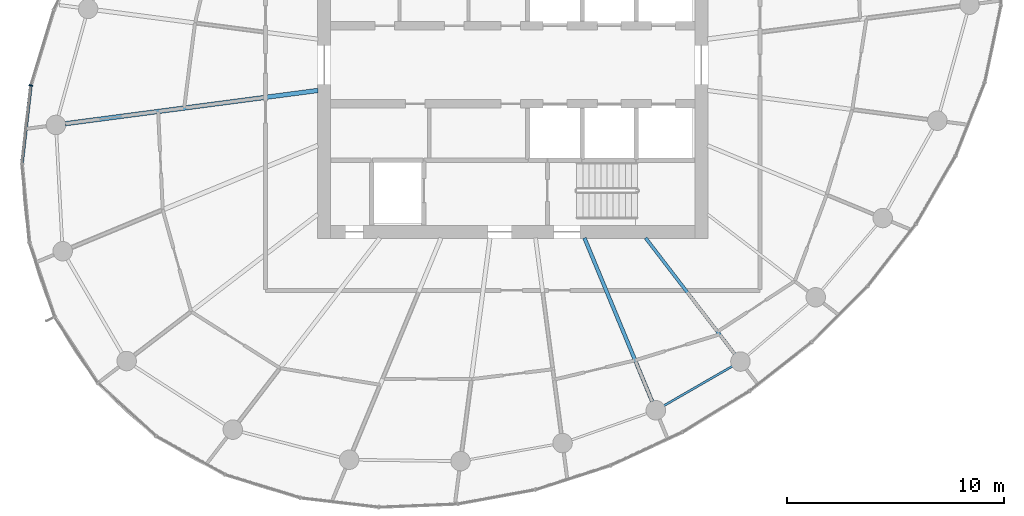
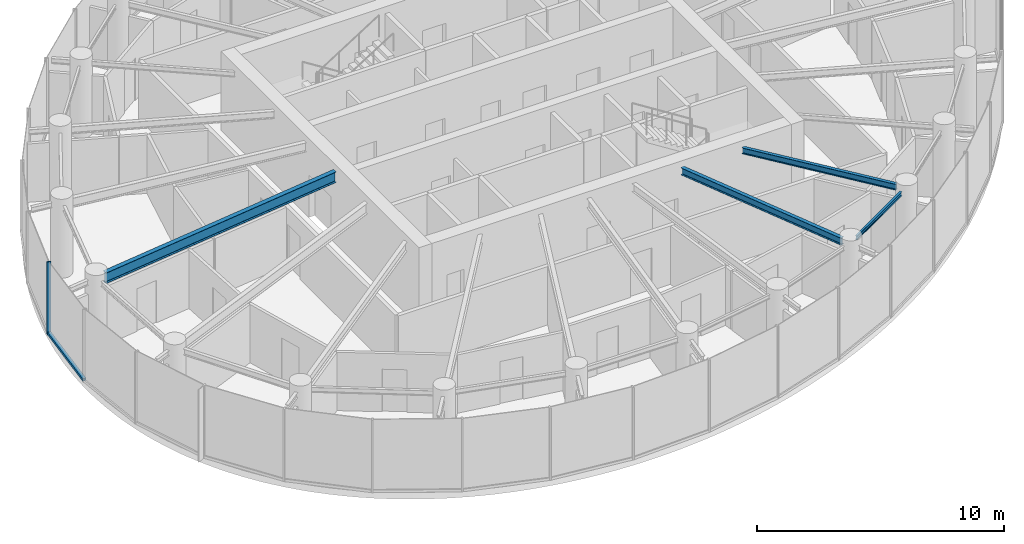
# One storey, part 3 of 15: 4 beams, 2 members, 1 element without a shape of its own.
"""IFC4 building model written with IfcOpenShell, lengths in metres."""

from ifc_helpers import new_model, si_unit, direction, frame, origin, origin_2d, place, context, subcontext, project, spatial, rectangle, i_section, extrude, source, transform, mapped, material, layer, layer_set, material_profile, profile_set, type_object, element, aggregate, save


model = new_model("IFC4")

# Units and contexts
model_context = context("Model", 3, precision=1e-05, world=origin(), true_north=direction((0.0, 1.0)))
body_context = subcontext(model_context, "Body", "Model", "MODEL_VIEW")
ifc_project = project(units=[si_unit("LENGTHUNIT", "METRE"), si_unit("AREAUNIT", "SQUARE_METRE"), si_unit("VOLUMEUNIT", "CUBIC_METRE"), si_unit("PLANEANGLEUNIT", "RADIAN"), si_unit("MASSUNIT", "GRAM", prefix="KILO")], contexts=[model_context])

# Site, building, storey
site_placement = place(None, origin())
site = spatial("IfcSite", under=ifc_project, at=site_placement, CompositionType="ELEMENT")
building_placement = place(site_placement, origin())
building = spatial("IfcBuilding", under=site, at=building_placement, Name="Spindrift Exchange Tower", CompositionType="ELEMENT")
storey_placement = place(building_placement, frame((0.0, 0.0, 191.60009765625)))
storey = spatial("IfcBuildingStorey", under=building, at=storey_placement, Name="L46", CompositionType="ELEMENT", Elevation=191.60009765625)

# Beams
ifc_material_1 = material(Name="Steel Grade 300", Category="steel")
ifc_material_profile_1 = material_profile(ifc_material_1, i_section(OverallWidth=0.208984375, OverallDepth=0.528076171875, WebThickness=0.009521484375, FlangeThickness=0.01318359375, FilletRadius=0.013916015625, at=origin_2d()), Name="530UB82.0")
ifc_profile_set_1 = profile_set([ifc_material_profile_1], Name="Steel Grade 300")
beam_type_1 = type_object("IfcBeamType", Name="Floor Beam 530UB82.0 Steel Grade 300", PredefinedType="BEAM", material=ifc_profile_set_1)
shared_shape_1 = source(origin(), body_context, "Body", "SweptSolid", [
    extrude(i_section(OverallWidth=0.208984375, OverallDepth=0.528076171875, WebThickness=0.009521484375, FlangeThickness=0.01318359375, FilletRadius=0.013916015625, at=origin_2d()), origin(), (0.0, 0.0, 1.0), 11.75634765625),
])
beam_1_placement = place(storey_placement, frame((43.019775390625, 46.817626953125, 3.31591796875), z_axis=(-0.991445811455, -0.13051897543, 0.0), x_axis=(0.13051897543, -0.991445811455, 0.0)))
element("IfcBeam", 1, at=beam_1_placement, inside=storey, type_object=beam_type_1, Name="L46 radial beam R13A", PredefinedType="BEAM", context=body_context, shape_type="MappedRepresentation", body=[
    mapped(shared_shape_1, transform((0.0, 0.0, 0.0), scale=1.0)),
])
ifc_material_profile_2 = material_profile(ifc_material_1, i_section(OverallWidth=0.1708984375, OverallDepth=0.35205078125, WebThickness=0.0068359375, FlangeThickness=0.009765625, FilletRadius=0.013916015625, at=origin_2d()), Name="360UB44.7")
ifc_profile_set_2 = profile_set([ifc_material_profile_2], Name="Steel Grade 300")
beam_type_2 = type_object("IfcBeamType", Name="Floor Beam 360UB44.7 Steel Grade 300", PredefinedType="BEAM", material=ifc_profile_set_2)
shared_shape_2 = source(origin(), body_context, "Body", "SweptSolid", [
    extrude(i_section(OverallWidth=0.1708984375, OverallDepth=0.35205078125, WebThickness=0.0068359375, FlangeThickness=0.009765625, FilletRadius=0.013916015625, at=origin_2d()), origin(), (0.0, 0.0, 1.0), 8.1748046875),
])
beam_2_placement = place(storey_placement, frame((55.30615234375, 40.0185546875, 3.40380859375), z_axis=(0.382655117626, -0.923891260352, 0.0), x_axis=(0.923891260352, 0.382655117626, 0.0)))
element("IfcBeam", 2, at=beam_2_placement, inside=storey, type_object=beam_type_2, Name="L46 radial beam R20A", PredefinedType="BEAM", context=body_context, shape_type="MappedRepresentation", body=[
    mapped(shared_shape_2, transform((0.0, 0.0, 0.0), scale=1.0)),
])
ifc_material_profile_3 = material_profile(ifc_material_1, i_section(OverallWidth=0.14892578125, OverallDepth=0.298095703125, WebThickness=0.005615234375, FlangeThickness=0.008056640625, FilletRadius=0.012939453125, at=origin_2d()), Name="310UB32.0")
ifc_profile_set_3 = profile_set([ifc_material_profile_3], Name="Steel Grade 300")
beam_type_3 = type_object("IfcBeamType", Name="Floor Beam 310UB32.0 Steel Grade 300", PredefinedType="BEAM", material=ifc_profile_set_3)
shared_shape_3 = source(origin(), body_context, "Body", "SweptSolid", [
    extrude(i_section(OverallWidth=0.14892578125, OverallDepth=0.298095703125, WebThickness=0.005615234375, FlangeThickness=0.008056640625, FilletRadius=0.012939453125, at=origin_2d()), origin(), (0.0, 0.0, 1.0), 6.753173828125),
])
beam_3_placement = place(storey_placement, frame((58.12646484375, 40.015869140625, 3.430908203125), z_axis=(0.608761639459, -0.793353178807, 0.0), x_axis=(0.793353178807, 0.608761639459, 0.0)))
element("IfcBeam", 3, at=beam_3_placement, inside=storey, type_object=beam_type_3, Name="L46 radial beam R21A", PredefinedType="BEAM", context=body_context, shape_type="MappedRepresentation", body=[
    mapped(shared_shape_3, transform((0.0, 0.0, 0.0), scale=1.0)),
])
ifc_material_profile_4 = material_profile(ifc_material_1, i_section(OverallWidth=0.09912109375, OverallDepth=0.197998046875, WebThickness=0.00439453125, FlangeThickness=0.007080078125, FilletRadius=0.010986328125, at=origin_2d()), Name="200UB18.2")
ifc_profile_set_4 = profile_set([ifc_material_profile_4], Name="Steel Grade 300")
beam_type_4 = type_object("IfcBeamType", Name="Edge Beam 200UB18.2 Steel Grade 300", PredefinedType="SPANDREL", material=ifc_profile_set_4)
shared_shape_4 = source(origin(), body_context, "Body", "SweptSolid", [
    extrude(i_section(OverallWidth=0.09912109375, OverallDepth=0.197998046875, WebThickness=0.00439453125, FlangeThickness=0.007080078125, FilletRadius=0.010986328125, at=origin_2d()), origin(), (0.0, 0.0, 1.0), 3.64208984375),
])
beam_4_placement = place(storey_placement, frame((58.971435546875, 32.283447265625, 3.48095703125), z_axis=(0.866364093123, 0.499412913476, 0.0), x_axis=(-0.499412913476, 0.866364093123, 0.0)))
element("IfcBeam", 4, at=beam_4_placement, inside=storey, type_object=beam_type_4, Name="L46 edge beam E20", PredefinedType="SPANDREL", context=body_context, shape_type="MappedRepresentation", body=[
    mapped(shared_shape_4, transform((0.0, 0.0, 0.0), scale=1.0)),
])

# Curtain wall, members
ifc_material_2 = material(Name="Fritted laminated glass with bronze frame", Category="glass")
ifc_layer = layer(ifc_material_2, 0.169921875)
ifc_layer_set = layer_set([ifc_layer], Name="ZONE 4 BRONZE FRITTED WALL")
curtain_wall_type = type_object("IfcCurtainWallType", Name="ZONE 4 BRONZE FRITTED WALL", PredefinedType="NOTDEFINED", material=ifc_layer_set)
curtain_wall_placement = place(storey_placement, origin())
curtain_wall = element("IfcCurtainWall", 5, at=curtain_wall_placement, inside=storey, type_object=curtain_wall_type, Name="L46 Zone 4 Bronze Fritted Wall run 3", PredefinedType="NOTDEFINED")
ifc_material_3 = material(Name="Bronze anodised aluminium", Category="aluminium")
ifc_material_profile_5 = material_profile(ifc_material_3, rectangle(XDim=0.06494140625, YDim=0.169921875, at=origin_2d()), Name="ZONE 4 BRONZE FRITTED WALL MULLION 65X170")
ifc_profile_set_5 = profile_set([ifc_material_profile_5], Name="Bronze anodised aluminium")
member_type_1 = type_object("IfcMemberType", Name="ZONE 4 BRONZE FRITTED WALL MULLION 65X170", PredefinedType="MULLION", material=ifc_profile_set_5)
shared_shape_5 = source(origin(), body_context, "Body", "SweptSolid", [
    extrude(rectangle(XDim=0.06494140625, YDim=0.169921875, at=origin_2d()), origin(), (0.0, 0.0, 1.0), 3.579833984375),
])
member_1_placement = place(storey_placement, frame((29.7783203125, 47.045654296875, 0.0), z_axis=(0.0, 0.0, 1.0), x_axis=(-0.202813499456, -0.979217383648, 0.0)))
member_1 = element("IfcMember", 6, at=member_1_placement, type_object=member_type_1, Name="L46 mullion CW-4.16", PredefinedType="MULLION", context=body_context, shape_type="MappedRepresentation", body=[
    mapped(shared_shape_5, transform((0.0, 0.0, 0.0), scale=1.0)),
])
ifc_material_profile_6 = material_profile(ifc_material_3, rectangle(XDim=0.14990234375, YDim=0.125, at=origin_2d()), Name="ZONE 4 BRONZE FRITTED WALL TRANSOM 150X125")
ifc_profile_set_6 = profile_set([ifc_material_profile_6], Name="Bronze anodised aluminium")
member_type_2 = type_object("IfcMemberType", Name="ZONE 4 BRONZE FRITTED WALL TRANSOM 150X125", PredefinedType="USERDEFINED", material=ifc_profile_set_6)
shared_shape_6 = source(origin(), body_context, "Body", "SweptSolid", [
    extrude(rectangle(XDim=0.14990234375, YDim=0.125, at=origin_2d()), origin(), (0.0, 0.0, 1.0), 3.573974609375),
])
member_2_placement = place(storey_placement, frame((29.774658203125, 47.013427734375, 0.0625), z_axis=(-0.113392468598, -0.993550274553, 0.0), x_axis=(0.993550274553, -0.113392468598, 0.0)))
member_2 = element("IfcMember", 7, at=member_2_placement, type_object=member_type_2, Name="L46 transom CW-4.16", ObjectType="TRANSOM", PredefinedType="USERDEFINED", context=body_context, shape_type="MappedRepresentation", body=[
    mapped(shared_shape_6, transform((0.0, 0.0, 0.0), scale=1.0)),
])
aggregate(curtain_wall, [member_1, member_2])

save(model, "model.ifc")
